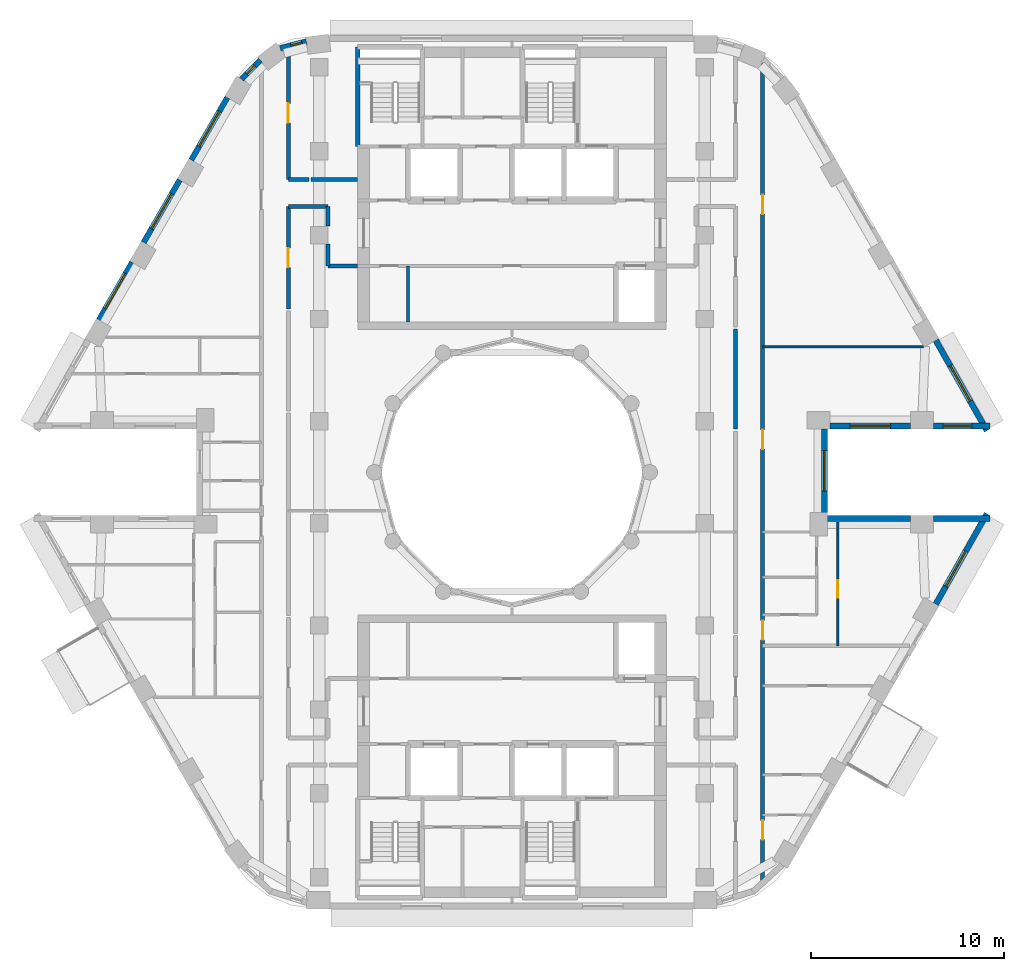
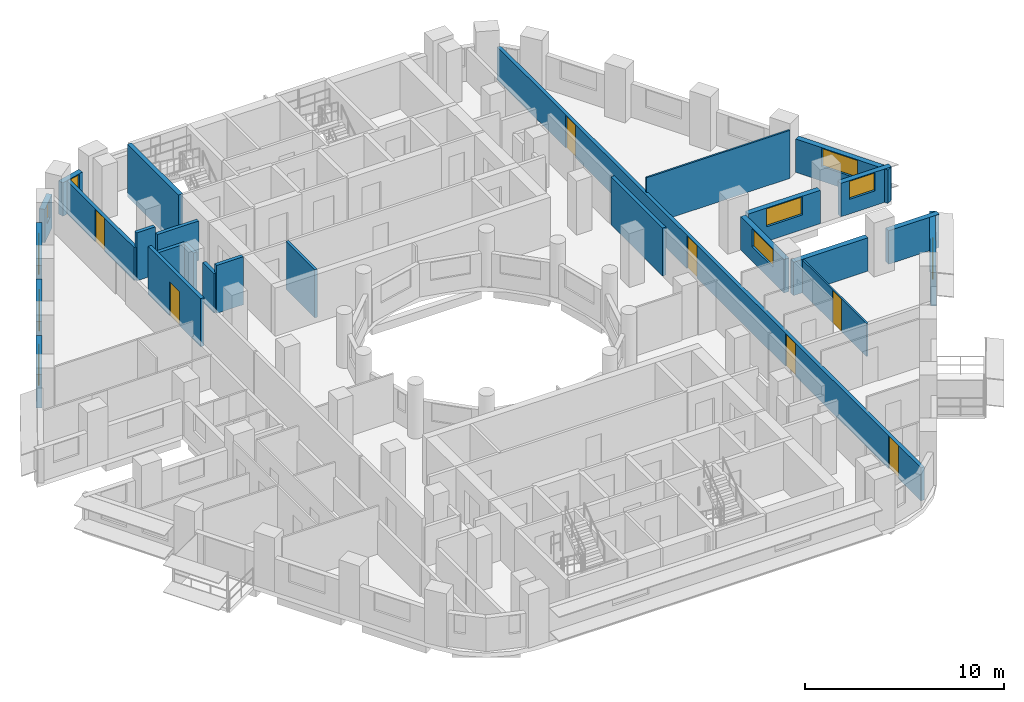
# One storey, part 7 of 15: 26 walls, 10 windows, 7 doors, 17 openings.
"""IFC4 building model written with IfcOpenShell, lengths in metres."""

from ifc_helpers import new_model, si_unit, direction, frame, frame_2d, origin, place, context, subcontext, project, spatial, rectangle, extrude, material, layer, layer_set, type_object, element, fill, save


model = new_model("IFC4")

# Units and contexts
model_context = context("Model", 3, precision=1e-05, world=origin(), true_north=direction((0.0, 1.0)))
body_context = subcontext(model_context, "Body", "Model", "MODEL_VIEW")
ifc_project = project(units=[si_unit("LENGTHUNIT", "METRE"), si_unit("AREAUNIT", "SQUARE_METRE"), si_unit("VOLUMEUNIT", "CUBIC_METRE"), si_unit("PLANEANGLEUNIT", "RADIAN"), si_unit("MASSUNIT", "GRAM", prefix="KILO")], contexts=[model_context])

# Site, building, storey
site_placement = place(None, origin())
site = spatial("IfcSite", under=ifc_project, at=site_placement, CompositionType="ELEMENT")
building_placement = place(site_placement, origin())
building = spatial("IfcBuilding", under=site, at=building_placement, Name="Nakaniwa Court", CompositionType="ELEMENT")
storey_placement = place(building_placement, frame((0.0, 0.0, 216.300048828125)))
storey = spatial("IfcBuildingStorey", under=building, at=storey_placement, Name="L57", CompositionType="ELEMENT", Elevation=216.300048828125)

# Wall
ifc_material_1 = material(Name="Acoustic double stud partition")
ifc_layer_1 = layer(ifc_material_1, 0.199951171875)
ifc_layer_set_1 = layer_set([ifc_layer_1], Name="Acoustic double stud partition")
wall_type_1 = type_object("IfcWallType", Name="Acoustic double stud partition 200", PredefinedType="PARTITIONING", material=ifc_layer_set_1)
wall_1_placement = place(storey_placement, frame((91.60009765625, 82.2373046875, 0.0), z_axis=(0.0, 0.0, 1.0), x_axis=(0.0, 1.0, 0.0)))
element("IfcWall", 1, at=wall_1_placement, inside=storey, type_object=wall_type_1, Name="Partition PW-068", PredefinedType="PARTITIONING", context=body_context, shape_type="SweptSolid", body=[
    extrude(rectangle(XDim=5.185546875, YDim=0.199951171875, at=frame_2d((2.5927734375, 0.0))), origin(), (0.0, 0.0, 1.0), 2.949951171875),
])

# Wall, openings, doors
wall_2_placement = place(storey_placement, frame((93.0, 101.28076171875, 0.0), z_axis=(0.0, 0.0, 1.0), x_axis=(0.0, -1.0, 0.0)))
wall_2 = element("IfcWall", 2, at=wall_2_placement, inside=storey, type_object=wall_type_1, Name="Partition PW-075", PredefinedType="PARTITIONING", context=body_context, shape_type="SweptSolid", body=[
    extrude(rectangle(XDim=42.6064453125, YDim=0.199951171875, at=frame_2d((21.30322265625, 0.0))), origin(), (0.0, 0.0, 1.0), 2.030029296875),
])
opening_1_placement = place(wall_2_placement, frame((39.330078125, 0.0, 0.0)))
opening_1 = element("IfcOpeningElement", 3, at=opening_1_placement, cuts=wall_2, Name="Opening D-34-01", PredefinedType="OPENING", context=body_context, shape_type="SweptSolid", body=[
    extrude(rectangle(XDim=1.0, YDim=2.010009765625, at=frame_2d((0.5, 1.0048828125))), frame((0.0, 0.10986328125, 0.0), z_axis=(0.0, -1.0, 0.0), x_axis=(1.0, 0.0, 0.0)), (0.0, 0.0, 1.0), 0.219970703125),
])
opening_2_placement = place(wall_2_placement, frame((28.97998046875, 0.0, 0.0)))
opening_2 = element("IfcOpeningElement", 4, at=opening_2_placement, cuts=wall_2, Name="Opening D-34-02", PredefinedType="OPENING", context=body_context, shape_type="SweptSolid", body=[
    extrude(rectangle(XDim=1.0, YDim=2.010009765625, at=frame_2d((0.5, 1.0048828125))), frame((0.0, 0.10986328125, 0.0), z_axis=(0.0, -1.0, 0.0), x_axis=(1.0, 0.0, 0.0)), (0.0, 0.0, 1.0), 0.219970703125),
])
opening_3_placement = place(wall_2_placement, frame((6.89306640625, 0.0, 0.0)))
opening_3 = element("IfcOpeningElement", 5, at=opening_3_placement, cuts=wall_2, Name="Opening D-36-02", PredefinedType="OPENING", context=body_context, shape_type="SweptSolid", body=[
    extrude(rectangle(XDim=1.0, YDim=2.010009765625, at=frame_2d((0.5, 1.0048828125))), frame((0.0, 0.10986328125, 0.0), z_axis=(0.0, -1.0, 0.0), x_axis=(1.0, 0.0, 0.0)), (0.0, 0.0, 1.0), 0.219970703125),
])
opening_4_placement = place(wall_2_placement, frame((19.080078125, 0.0, 0.0)))
opening_4 = element("IfcOpeningElement", 6, at=opening_4_placement, cuts=wall_2, Name="Opening D-36-04", PredefinedType="OPENING", context=body_context, shape_type="SweptSolid", body=[
    extrude(rectangle(XDim=1.0, YDim=2.010009765625, at=frame_2d((0.5, 1.0048828125))), frame((0.0, 0.10986328125, 0.0), z_axis=(0.0, -1.0, 0.0), x_axis=(1.0, 0.0, 0.0)), (0.0, 0.0, 1.0), 0.219970703125),
])
ifc_material_2 = material(Name="Solid core timber door set, black veneer", Category="wood")
door_type_1 = type_object("IfcDoorType", Name="Flat entrance door 1000 x 2010", OperationType="NOTDEFINED", PredefinedType="DOOR", material=ifc_material_2)
door_1_placement = place(opening_1_placement, origin())
door_1 = element("IfcDoor", 7, at=door_1_placement, inside=storey, type_object=door_type_1, Name="Door D-34-01 L57-022", OperationType="SINGLE_SWING_LEFT", OverallHeight=2.010009765625, OverallWidth=1.0, PredefinedType="DOOR", context=body_context, shape_type="SweptSolid", body=[
    extrude(rectangle(XDim=1.0, YDim=2.010009765625, at=frame_2d((0.5, 1.0048828125))), frame((0.0, 0.02490234375, 0.0), z_axis=(0.0, -1.0, 0.0), x_axis=(1.0, 0.0, 0.0)), (0.0, 0.0, 1.0), 0.050048828125),
])
fill(opening_1, door_1)
door_2_placement = place(opening_2_placement, origin())
door_2 = element("IfcDoor", 8, at=door_2_placement, inside=storey, type_object=door_type_1, Name="Door D-34-02 L57-027", OperationType="SINGLE_SWING_RIGHT", OverallHeight=2.010009765625, OverallWidth=1.0, PredefinedType="DOOR", context=body_context, shape_type="SweptSolid", body=[
    extrude(rectangle(XDim=1.0, YDim=2.010009765625, at=frame_2d((0.5, 1.0048828125))), frame((0.0, 0.02490234375, 0.0), z_axis=(0.0, -1.0, 0.0), x_axis=(1.0, 0.0, 0.0)), (0.0, 0.0, 1.0), 0.050048828125),
])
fill(opening_2, door_2)
door_type_2 = type_object("IfcDoorType", Name="Internal door 1000 x 2010", OperationType="NOTDEFINED", PredefinedType="DOOR", material=ifc_material_2)
door_3_placement = place(opening_3_placement, origin())
door_3 = element("IfcDoor", 9, at=door_3_placement, inside=storey, type_object=door_type_2, Name="Door D-36-02 L57-032", OperationType="SINGLE_SWING_LEFT", OverallHeight=2.010009765625, OverallWidth=1.0, PredefinedType="DOOR", context=body_context, shape_type="SweptSolid", body=[
    extrude(rectangle(XDim=1.0, YDim=2.010009765625, at=frame_2d((0.5, 1.0048828125))), frame((0.0, 0.02490234375, 0.0), z_axis=(0.0, -1.0, 0.0), x_axis=(1.0, 0.0, 0.0)), (0.0, 0.0, 1.0), 0.050048828125),
])
fill(opening_3, door_3)
door_4_placement = place(opening_4_placement, origin())
door_4 = element("IfcDoor", 10, at=door_4_placement, inside=storey, type_object=door_type_2, Name="Door D-36-04 L57-047", OperationType="SINGLE_SWING_RIGHT", OverallHeight=2.010009765625, OverallWidth=1.0, PredefinedType="DOOR", context=body_context, shape_type="SweptSolid", body=[
    extrude(rectangle(XDim=1.0, YDim=2.010009765625, at=frame_2d((0.5, 1.0048828125))), frame((0.0, 0.02490234375, 0.0), z_axis=(0.0, -1.0, 0.0), x_axis=(1.0, 0.0, 0.0)), (0.0, 0.0, 1.0), 0.050048828125),
])
fill(opening_4, door_4)

# Walls
wall_3_placement = place(storey_placement, frame((68.39990234375, 93.77490234375, 0.0), z_axis=(0.0, 0.0, 1.0), x_axis=(1.0, 0.0, 0.0)))
element("IfcWall", 11, at=wall_3_placement, inside=storey, type_object=wall_type_1, Name="Partition PW-084", PredefinedType="PARTITIONING", context=body_context, shape_type="SweptSolid", body=[
    extrude(rectangle(XDim=2.050048828125, YDim=0.199951171875, at=frame_2d((1.02490234375, 0.0))), origin(), (0.0, 0.0, 1.0), 2.429931640625),
])
wall_4_placement = place(storey_placement, frame((70.449951171875, 90.699951171875, 0.0), z_axis=(0.0, 0.0, 1.0), x_axis=(1.0, 0.0, 0.0)))
element("IfcWall", 12, at=wall_4_placement, inside=storey, type_object=wall_type_1, Name="Partition PW-086", PredefinedType="PARTITIONING", context=body_context, shape_type="SweptSolid", body=[
    extrude(rectangle(XDim=1.550048828125, YDim=0.199951171875, at=frame_2d((0.77490234375, 0.0))), origin(), (0.0, 0.0, 1.0), 2.949951171875),
])
wall_5_placement = place(storey_placement, frame((68.39990234375, 95.175048828125, 0.0), z_axis=(0.0, 0.0, 1.0), x_axis=(1.0, 0.0, 0.0)))
element("IfcWall", 13, at=wall_5_placement, inside=storey, type_object=wall_type_1, Name="Partition PW-088", PredefinedType="PARTITIONING", context=body_context, shape_type="SweptSolid", body=[
    extrude(rectangle(XDim=1.072998046875, YDim=0.199951171875, at=frame_2d((0.53662109375, 0.0))), origin(), (0.0, 0.0, 1.0), 2.949951171875),
])
wall_6_placement = place(storey_placement, frame((69.587158203125, 95.175048828125, 0.0), z_axis=(0.0, 0.0, 1.0), x_axis=(1.0, 0.0, 0.0)))
element("IfcWall", 14, at=wall_6_placement, inside=storey, type_object=wall_type_1, Name="Partition PW-089", PredefinedType="PARTITIONING", context=body_context, shape_type="SweptSolid", body=[
    extrude(rectangle(XDim=2.412841796875, YDim=0.199951171875, at=frame_2d((1.20654296875, 0.0))), origin(), (0.0, 0.0, 1.0), 2.429931640625),
])

# Wall, opening, door
wall_7_placement = place(storey_placement, frame((68.39990234375, 93.77490234375, 0.0), z_axis=(0.0, 0.0, 1.0), x_axis=(0.0, -1.0, 0.0)))
wall_7 = element("IfcWall", 15, at=wall_7_placement, inside=storey, type_object=wall_type_1, Name="Partition PW-096", PredefinedType="PARTITIONING", context=body_context, shape_type="SweptSolid", body=[
    extrude(rectangle(XDim=5.297607421875, YDim=0.199951171875, at=frame_2d((2.64892578125, 0.0))), origin(), (0.0, 0.0, 1.0), 2.949951171875),
])
opening_5_placement = place(wall_7_placement, frame((2.14794921875, 0.0, 0.0)))
opening_5 = element("IfcOpeningElement", 16, at=opening_5_placement, cuts=wall_7, Name="Opening D-02-04", PredefinedType="OPENING", context=body_context, shape_type="SweptSolid", body=[
    extrude(rectangle(XDim=1.0, YDim=2.10009765625, at=frame_2d((0.5, 1.050048828125))), frame((0.0, 0.10986328125, 0.0), z_axis=(0.0, -1.0, 0.0), x_axis=(1.0, 0.0, 0.0)), (0.0, 0.0, 1.0), 0.219970703125),
])
door_type_3 = type_object("IfcDoorType", Name="Internal door 1000", OperationType="NOTDEFINED", PredefinedType="DOOR", material=ifc_material_2)
door_5_placement = place(opening_5_placement, origin())
door_5 = element("IfcDoor", 17, at=door_5_placement, inside=storey, type_object=door_type_3, Name="Door D-02-04 L57-046", OperationType="SINGLE_SWING_LEFT", OverallHeight=2.10009765625, OverallWidth=1.0, PredefinedType="DOOR", context=body_context, shape_type="SweptSolid", body=[
    extrude(rectangle(XDim=1.0, YDim=2.10009765625, at=frame_2d((0.5, 1.050048828125))), frame((0.0, 0.02490234375, 0.0), z_axis=(0.0, -1.0, 0.0), x_axis=(1.0, 0.0, 0.0)), (0.0, 0.0, 1.0), 0.050048828125),
])
fill(opening_5, door_5)

wall_8_placement = place(storey_placement, frame((68.39990234375, 102.07373046875, 0.0), z_axis=(0.0, 0.0, 1.0), x_axis=(0.0, -1.0, 0.0)))
wall_8 = element("IfcWall", 18, at=wall_8_placement, inside=storey, type_object=wall_type_1, Name="Partition PW-097", PredefinedType="PARTITIONING", context=body_context, shape_type="SweptSolid", body=[
    extrude(rectangle(XDim=6.898681640625, YDim=0.199951171875, at=frame_2d((3.44921875, 0.0))), origin(), (0.0, 0.0, 1.0), 2.030029296875),
])
opening_6_placement = place(wall_8_placement, frame((2.948974609375, 0.0, 0.0)))
opening_6 = element("IfcOpeningElement", 19, at=opening_6_placement, cuts=wall_8, Name="Opening D-36-08", PredefinedType="OPENING", context=body_context, shape_type="SweptSolid", body=[
    extrude(rectangle(XDim=1.0, YDim=2.010009765625, at=frame_2d((0.5, 1.0048828125))), frame((0.0, 0.10986328125, 0.0), z_axis=(0.0, -1.0, 0.0), x_axis=(1.0, 0.0, 0.0)), (0.0, 0.0, 1.0), 0.219970703125),
])
door_6_placement = place(opening_6_placement, origin())
door_6 = element("IfcDoor", 20, at=door_6_placement, inside=storey, type_object=door_type_2, Name="Door D-36-08 L57-051", OperationType="SINGLE_SWING_RIGHT", OverallHeight=2.010009765625, OverallWidth=1.0, PredefinedType="DOOR", context=body_context, shape_type="SweptSolid", body=[
    extrude(rectangle(XDim=1.0, YDim=2.010009765625, at=frame_2d((0.5, 1.0048828125))), frame((0.0, 0.02490234375, 0.0), z_axis=(0.0, -1.0, 0.0), x_axis=(1.0, 0.0, 0.0)), (0.0, 0.0, 1.0), 0.050048828125),
])
fill(opening_6, door_6)

# Walls
wall_9_placement = place(storey_placement, frame((70.449951171875, 90.699951171875, 0.0), z_axis=(0.0, 0.0, 1.0), x_axis=(0.0, 1.0, 0.0)))
element("IfcWall", 21, at=wall_9_placement, inside=storey, type_object=wall_type_1, Name="Partition PW-100", PredefinedType="PARTITIONING", context=body_context, shape_type="SweptSolid", body=[
    extrude(rectangle(XDim=1.1328125, YDim=0.199951171875, at=frame_2d((0.56640625, 0.0))), origin(), (0.0, 0.0, 1.0), 2.429931640625),
])
wall_10_placement = place(storey_placement, frame((70.449951171875, 92.76708984375, 0.0), z_axis=(0.0, 0.0, 1.0), x_axis=(0.0, 1.0, 0.0)))
element("IfcWall", 22, at=wall_10_placement, inside=storey, type_object=wall_type_1, Name="Partition PW-101", PredefinedType="PARTITIONING", context=body_context, shape_type="SweptSolid", body=[
    extrude(rectangle(XDim=1.0078125, YDim=0.199951171875, at=frame_2d((0.50390625, 0.0))), origin(), (0.0, 0.0, 1.0), 2.429931640625),
])

# Wall, opening, window
ifc_material_3 = material(Name="Charcoal ceramic cladding")
ifc_layer_2 = layer(ifc_material_3, 0.02, Name="Ceramic cladding")
ifc_material_4 = material(Name="Ventilated air cavity")
ifc_layer_3 = layer(ifc_material_4, 0.04, ventilated=True, Name="Ventilated cavity")
ifc_material_5 = material(Name="Mineral wool insulation")
ifc_layer_4 = layer(ifc_material_5, 0.1, Name="Insulation")
ifc_material_6 = material(Name="Cement bonded sheathing board")
ifc_layer_5 = layer(ifc_material_6, 0.012, Name="Sheathing")
ifc_material_7 = material(Name="Cold-formed galvanised stud frame with mineral wool infill")
ifc_layer_6 = layer(ifc_material_7, 0.1, Name="Stud frame")
ifc_material_8 = material(Name="Fire-rated gypsum plasterboard lining")
ifc_layer_7 = layer(ifc_material_8, 0.028, Name="Lining")
ifc_layer_set_2 = layer_set([ifc_layer_2, ifc_layer_3, ifc_layer_4, ifc_layer_5, ifc_layer_6, ifc_layer_7], Name="Charcoal ceramic faced external wall system")
wall_type_2 = type_object("IfcWallType", Name="Black ceramic faced external wall 300", PredefinedType="SOLIDWALL", material=ifc_layer_set_2)
wall_11_placement = place(storey_placement, frame((96.49560546875, 82.39990234375, 0.0), z_axis=(0.0, 0.0, 1.0), x_axis=(1.0, 0.0, 0.0)))
wall_11 = element("IfcWall", 23, at=wall_11_placement, inside=storey, type_object=wall_type_2, Name="L57 external wall 00", PredefinedType="SOLIDWALL", context=body_context, shape_type="SweptSolid", body=[
    extrude(rectangle(XDim=4.17236328125, YDim=0.300048828125, at=frame_2d((2.086181640625, 0.0))), origin(), (0.0, 0.0, 1.0), 2.050048828125),
])
opening_7_placement = place(wall_11_placement, frame((1.036376953125, 0.0, 0.89990234375)))
opening_7 = element("IfcOpeningElement", 24, at=opening_7_placement, cuts=wall_11, Name="Opening W7.01", PredefinedType="OPENING", context=body_context, shape_type="SweptSolid", body=[
    extrude(rectangle(XDim=2.10009765625, YDim=1.10009765625, at=frame_2d((1.050048828125, 0.550048828125))), frame((0.0, 0.159912109375, 0.0), z_axis=(0.0, -1.0, 0.0), x_axis=(1.0, 0.0, 0.0)), (0.0, 0.0, 1.0), 0.320068359375),
])
ifc_material_9 = material(Name="Black anodised aluminium frame with dark low-E laminated double glazing", Category="aluminium")
window_type_1 = type_object("IfcWindowType", Name="Dark glass window 2100x1100 sill 900", PartitioningType="SINGLE_PANEL", PredefinedType="WINDOW", material=ifc_material_9)
window_1_placement = place(opening_7_placement, origin())
window_1 = element("IfcWindow", 25, at=window_1_placement, inside=storey, type_object=window_type_1, Name="L57 habitable room window 00-0", OverallHeight=1.10009765625, OverallWidth=2.10009765625, PartitioningType="SINGLE_PANEL", PredefinedType="WINDOW", context=body_context, shape_type="SweptSolid", body=[
    extrude(rectangle(XDim=2.10009765625, YDim=1.10009765625, at=frame_2d((1.050048828125, 0.550048828125))), frame((0.0, 0.030029296875, 0.0), z_axis=(0.0, -1.0, 0.0), x_axis=(1.0, 0.0, 0.0)), (0.0, 0.0, 1.0), 0.06005859375),
])
fill(opening_7, window_1)

wall_12_placement = place(storey_placement, frame((101.860107421875, 82.39990234375, 0.0), z_axis=(0.0, 0.0, 1.0), x_axis=(1.0, 0.0, 0.0)))
wall_12 = element("IfcWall", 26, at=wall_12_placement, inside=storey, type_object=wall_type_2, Name="L57 external wall 01", PredefinedType="SOLIDWALL", context=body_context, shape_type="SweptSolid", body=[
    extrude(rectangle(XDim=2.937744140625, YDim=0.300048828125, at=frame_2d((1.46875, 0.0))), origin(), (0.0, 0.0, 1.0), 2.050048828125),
])
opening_8_placement = place(wall_12_placement, frame((0.493896484375, 0.0, 0.89990234375)))
opening_8 = element("IfcOpeningElement", 27, at=opening_8_placement, cuts=wall_12, Name="Opening W5.02", PredefinedType="OPENING", context=body_context, shape_type="SweptSolid", body=[
    extrude(rectangle(XDim=1.5, YDim=1.10009765625, at=frame_2d((0.75, 0.550048828125))), frame((0.0, 0.159912109375, 0.0), z_axis=(0.0, -1.0, 0.0), x_axis=(1.0, 0.0, 0.0)), (0.0, 0.0, 1.0), 0.320068359375),
])
window_type_2 = type_object("IfcWindowType", Name="Dark glass window 1500x1100 sill 900", PartitioningType="SINGLE_PANEL", PredefinedType="WINDOW", material=ifc_material_9)
window_2_placement = place(opening_8_placement, origin())
window_2 = element("IfcWindow", 28, at=window_2_placement, inside=storey, type_object=window_type_2, Name="L57 habitable room window 01-0", OverallHeight=1.10009765625, OverallWidth=1.5, PartitioningType="SINGLE_PANEL", PredefinedType="WINDOW", context=body_context, shape_type="SweptSolid", body=[
    extrude(rectangle(XDim=1.5, YDim=1.10009765625, at=frame_2d((0.75, 0.550048828125))), frame((0.0, 0.030029296875, 0.0), z_axis=(0.0, -1.0, 0.0), x_axis=(1.0, 0.0, 0.0)), (0.0, 0.0, 1.0), 0.06005859375),
])
fill(opening_8, window_2)

wall_13_placement = place(storey_placement, frame((104.627197265625, 82.153564453125, 0.0), z_axis=(0.0, 0.0, 1.0), x_axis=(-0.492033360928, 0.870576344575, 0.0)))
wall_13 = element("IfcWall", 29, at=wall_13_placement, inside=storey, type_object=wall_type_2, Name="L57 external wall 02", PredefinedType="SOLIDWALL", context=body_context, shape_type="SweptSolid", body=[
    extrude(rectangle(XDim=5.38671875, YDim=0.300048828125, at=frame_2d((2.693359375, 0.0))), origin(), (0.0, 0.0, 1.0), 2.050048828125),
])
opening_9_placement = place(wall_13_placement, frame((1.77001953125, 0.0, 0.89990234375)))
opening_9 = element("IfcOpeningElement", 30, at=opening_9_placement, cuts=wall_13, Name="Opening W7.03", PredefinedType="OPENING", context=body_context, shape_type="SweptSolid", body=[
    extrude(rectangle(XDim=2.10009765625, YDim=1.10009765625, at=frame_2d((1.050048828125, 0.550048828125))), frame((0.0, 0.159912109375, 0.0), z_axis=(0.0, -1.0, 0.0), x_axis=(1.0, 0.0, 0.0)), (0.0, 0.0, 1.0), 0.320068359375),
])
window_3_placement = place(opening_9_placement, origin())
window_3 = element("IfcWindow", 31, at=window_3_placement, inside=storey, type_object=window_type_1, Name="L57 habitable room window 02-0", OverallHeight=1.10009765625, OverallWidth=2.10009765625, PartitioningType="SINGLE_PANEL", PredefinedType="WINDOW", context=body_context, shape_type="SweptSolid", body=[
    extrude(rectangle(XDim=2.10009765625, YDim=1.10009765625, at=frame_2d((1.050048828125, 0.550048828125))), frame((0.0, 0.030029296875, 0.0), z_axis=(0.0, -1.0, 0.0), x_axis=(1.0, 0.0, 0.0)), (0.0, 0.0, 1.0), 0.06005859375),
])
fill(opening_9, window_3)

wall_14_placement = place(storey_placement, frame((69.3359375, 102.333251953125, 0.0), z_axis=(0.0, 0.0, 1.0), x_axis=(-0.969037396898, -0.246914000036, 0.0)))
wall_14 = element("IfcWall", 32, at=wall_14_placement, inside=storey, type_object=wall_type_2, Name="L57 external wall 09", PredefinedType="SOLIDWALL", context=body_context, shape_type="SweptSolid", body=[
    extrude(rectangle(XDim=1.403076171875, YDim=0.300048828125, at=frame_2d((0.70166015625, 0.0))), origin(), (0.0, 0.0, 1.0), 2.050048828125),
])
opening_10_placement = place(wall_14_placement, frame((0.22900390625, 0.0, 0.89990234375)))
opening_10 = element("IfcOpeningElement", 33, at=opening_10_placement, cuts=wall_14, Name="Opening W8.11", PredefinedType="OPENING", context=body_context, shape_type="SweptSolid", body=[
    extrude(rectangle(XDim=0.60009765625, YDim=1.10009765625, at=frame_2d((0.300048828125, 0.550048828125))), frame((0.0, 0.159912109375, 0.0), z_axis=(0.0, -1.0, 0.0), x_axis=(1.0, 0.0, 0.0)), (0.0, 0.0, 1.0), 0.320068359375),
])
window_type_3 = type_object("IfcWindowType", Name="Dark glass window 600x1100 sill 900", PartitioningType="SINGLE_PANEL", PredefinedType="WINDOW", material=ifc_material_9)
window_4_placement = place(opening_10_placement, origin())
window_4 = element("IfcWindow", 34, at=window_4_placement, inside=storey, type_object=window_type_3, Name="L57 habitable room window 09-0", OverallHeight=1.10009765625, OverallWidth=0.60009765625, PartitioningType="SINGLE_PANEL", PredefinedType="WINDOW", context=body_context, shape_type="SweptSolid", body=[
    extrude(rectangle(XDim=0.60009765625, YDim=1.10009765625, at=frame_2d((0.300048828125, 0.550048828125))), frame((0.0, 0.030029296875, 0.0), z_axis=(0.0, -1.0, 0.0), x_axis=(1.0, 0.0, 0.0)), (0.0, 0.0, 1.0), 0.06005859375),
])
fill(opening_10, window_4)

wall_15_placement = place(storey_placement, frame((66.951904296875, 101.36328125, 0.0), z_axis=(0.0, 0.0, 1.0), x_axis=(-0.70869320446, -0.705516790695, 0.0)))
wall_15 = element("IfcWall", 35, at=wall_15_placement, inside=storey, type_object=wall_type_2, Name="L57 external wall 10", PredefinedType="SOLIDWALL", context=body_context, shape_type="SweptSolid", body=[
    extrude(rectangle(XDim=1.383544921875, YDim=0.300048828125, at=frame_2d((0.69189453125, 0.0))), origin(), (0.0, 0.0, 1.0), 2.050048828125),
])
opening_11_placement = place(wall_15_placement, frame((0.407958984375, 0.0, 0.89990234375)))
opening_11 = element("IfcOpeningElement", 36, at=opening_11_placement, cuts=wall_15, Name="Opening W8.12", PredefinedType="OPENING", context=body_context, shape_type="SweptSolid", body=[
    extrude(rectangle(XDim=0.60009765625, YDim=1.10009765625, at=frame_2d((0.300048828125, 0.550048828125))), frame((0.0, 0.159912109375, 0.0), z_axis=(0.0, -1.0, 0.0), x_axis=(1.0, 0.0, 0.0)), (0.0, 0.0, 1.0), 0.320068359375),
])
window_5_placement = place(opening_11_placement, origin())
window_5 = element("IfcWindow", 37, at=window_5_placement, inside=storey, type_object=window_type_3, Name="L57 habitable room window 10-1", OverallHeight=1.10009765625, OverallWidth=0.60009765625, PartitioningType="SINGLE_PANEL", PredefinedType="WINDOW", context=body_context, shape_type="SweptSolid", body=[
    extrude(rectangle(XDim=0.60009765625, YDim=1.10009765625, at=frame_2d((0.300048828125, 0.550048828125))), frame((0.0, 0.030029296875, 0.0), z_axis=(0.0, -1.0, 0.0), x_axis=(1.0, 0.0, 0.0)), (0.0, 0.0, 1.0), 0.06005859375),
])
fill(opening_11, window_5)

wall_16_placement = place(storey_placement, frame((65.239013671875, 99.433349609375, 0.0), z_axis=(0.0, 0.0, 1.0), x_axis=(-0.499982088007, -0.866035745032, 0.0)))
wall_16 = element("IfcWall", 38, at=wall_16_placement, inside=storey, type_object=wall_type_2, Name="L57 external wall 11", PredefinedType="SOLIDWALL", context=body_context, shape_type="SweptSolid", body=[
    extrude(rectangle(XDim=3.744384765625, YDim=0.300048828125, at=frame_2d((1.8720703125, 0.0))), origin(), (0.0, 0.0, 1.0), 2.050048828125),
])
opening_12_placement = place(wall_16_placement, frame((0.822265625, 0.0, 0.89990234375)))
opening_12 = element("IfcOpeningElement", 39, at=opening_12_placement, cuts=wall_16, Name="Opening W7.13", PredefinedType="OPENING", context=body_context, shape_type="SweptSolid", body=[
    extrude(rectangle(XDim=2.10009765625, YDim=1.10009765625, at=frame_2d((1.050048828125, 0.550048828125))), frame((0.0, 0.159912109375, 0.0), z_axis=(0.0, -1.0, 0.0), x_axis=(1.0, 0.0, 0.0)), (0.0, 0.0, 1.0), 0.320068359375),
])
window_6_placement = place(opening_12_placement, origin())
window_6 = element("IfcWindow", 40, at=window_6_placement, inside=storey, type_object=window_type_1, Name="L57 habitable room window 11-0", OverallHeight=1.10009765625, OverallWidth=2.10009765625, PartitioningType="SINGLE_PANEL", PredefinedType="WINDOW", context=body_context, shape_type="SweptSolid", body=[
    extrude(rectangle(XDim=2.10009765625, YDim=1.10009765625, at=frame_2d((1.050048828125, 0.550048828125))), frame((0.0, 0.030029296875, 0.0), z_axis=(0.0, -1.0, 0.0), x_axis=(1.0, 0.0, 0.0)), (0.0, 0.0, 1.0), 0.06005859375),
])
fill(opening_12, window_6)

wall_17_placement = place(storey_placement, frame((62.77099609375, 95.158447265625, 0.0), z_axis=(0.0, 0.0, 1.0), x_axis=(-0.500059225181, -0.86599120741, 0.0)))
wall_17 = element("IfcWall", 41, at=wall_17_placement, inside=storey, type_object=wall_type_2, Name="L57 external wall 12", PredefinedType="SOLIDWALL", context=body_context, shape_type="SweptSolid", body=[
    extrude(rectangle(XDim=3.744140625, YDim=0.300048828125, at=frame_2d((1.8720703125, 0.0))), origin(), (0.0, 0.0, 1.0), 2.050048828125),
])
opening_13_placement = place(wall_17_placement, frame((0.822265625, 0.0, 0.89990234375)))
opening_13 = element("IfcOpeningElement", 42, at=opening_13_placement, cuts=wall_17, Name="Opening W7.14", PredefinedType="OPENING", context=body_context, shape_type="SweptSolid", body=[
    extrude(rectangle(XDim=2.10009765625, YDim=1.10009765625, at=frame_2d((1.050048828125, 0.550048828125))), frame((0.0, 0.159912109375, 0.0), z_axis=(0.0, -1.0, 0.0), x_axis=(1.0, 0.0, 0.0)), (0.0, 0.0, 1.0), 0.320068359375),
])
window_7_placement = place(opening_13_placement, origin())
window_7 = element("IfcWindow", 43, at=window_7_placement, inside=storey, type_object=window_type_1, Name="L57 habitable room window 12-0", OverallHeight=1.10009765625, OverallWidth=2.10009765625, PartitioningType="SINGLE_PANEL", PredefinedType="WINDOW", context=body_context, shape_type="SweptSolid", body=[
    extrude(rectangle(XDim=2.10009765625, YDim=1.10009765625, at=frame_2d((1.050048828125, 0.550048828125))), frame((0.0, 0.030029296875, 0.0), z_axis=(0.0, -1.0, 0.0), x_axis=(1.0, 0.0, 0.0)), (0.0, 0.0, 1.0), 0.06005859375),
])
fill(opening_13, window_7)

wall_18_placement = place(storey_placement, frame((60.302734375, 90.883544921875, 0.0), z_axis=(0.0, 0.0, 1.0), x_axis=(-0.499955427682, -0.866051136095, 0.0)))
wall_18 = element("IfcWall", 44, at=wall_18_placement, inside=storey, type_object=wall_type_2, Name="L57 external wall 13", PredefinedType="SOLIDWALL", context=body_context, shape_type="SweptSolid", body=[
    extrude(rectangle(XDim=3.447021484375, YDim=0.300048828125, at=frame_2d((1.7236328125, 0.0))), origin(), (0.0, 0.0, 1.0), 2.050048828125),
])
opening_14_placement = place(wall_18_placement, frame((0.673583984375, 0.0, 0.89990234375)))
opening_14 = element("IfcOpeningElement", 45, at=opening_14_placement, cuts=wall_18, Name="Opening W7.15", PredefinedType="OPENING", context=body_context, shape_type="SweptSolid", body=[
    extrude(rectangle(XDim=2.10009765625, YDim=1.10009765625, at=frame_2d((1.050048828125, 0.550048828125))), frame((0.0, 0.159912109375, 0.0), z_axis=(0.0, -1.0, 0.0), x_axis=(1.0, 0.0, 0.0)), (0.0, 0.0, 1.0), 0.320068359375),
])
window_8_placement = place(opening_14_placement, origin())
window_8 = element("IfcWindow", 46, at=window_8_placement, inside=storey, type_object=window_type_1, Name="L57 habitable room window 13-0", OverallHeight=1.10009765625, OverallWidth=2.10009765625, PartitioningType="SINGLE_PANEL", PredefinedType="WINDOW", context=body_context, shape_type="SweptSolid", body=[
    extrude(rectangle(XDim=2.10009765625, YDim=1.10009765625, at=frame_2d((1.050048828125, 0.550048828125))), frame((0.0, 0.030029296875, 0.0), z_axis=(0.0, -1.0, 0.0), x_axis=(1.0, 0.0, 0.0)), (0.0, 0.0, 1.0), 0.06005859375),
])
fill(opening_14, window_8)

wall_19_placement = place(storey_placement, frame((101.976806640625, 73.156982421875, 0.0), z_axis=(0.0, 0.0, 1.0), x_axis=(0.492033360928, 0.870576344575, 0.0)))
wall_19 = element("IfcWall", 47, at=wall_19_placement, inside=storey, type_object=wall_type_2, Name="L57 external wall 32", PredefinedType="SOLIDWALL", context=body_context, shape_type="SweptSolid", body=[
    extrude(rectangle(XDim=5.38671875, YDim=0.300048828125, at=frame_2d((2.693359375, 0.0))), origin(), (0.0, 0.0, 1.0), 2.050048828125),
])
opening_15_placement = place(wall_19_placement, frame((1.064453125, 0.0, 0.89990234375)))
opening_15 = element("IfcOpeningElement", 48, at=opening_15_placement, cuts=wall_19, Name="Opening W7.35", PredefinedType="OPENING", context=body_context, shape_type="SweptSolid", body=[
    extrude(rectangle(XDim=2.10009765625, YDim=1.10009765625, at=frame_2d((1.050048828125, 0.550048828125))), frame((0.0, 0.159912109375, 0.0), z_axis=(0.0, -1.0, 0.0), x_axis=(1.0, 0.0, 0.0)), (0.0, 0.0, 1.0), 0.320068359375),
])
window_9_placement = place(opening_15_placement, origin())
window_9 = element("IfcWindow", 49, at=window_9_placement, inside=storey, type_object=window_type_1, Name="L57 living window 32-0", OverallHeight=1.10009765625, OverallWidth=2.10009765625, PartitioningType="SINGLE_PANEL", PredefinedType="WINDOW", context=body_context, shape_type="SweptSolid", body=[
    extrude(rectangle(XDim=2.10009765625, YDim=1.10009765625, at=frame_2d((1.050048828125, 0.550048828125))), frame((0.0, 0.030029296875, 0.0), z_axis=(0.0, -1.0, 0.0), x_axis=(1.0, 0.0, 0.0)), (0.0, 0.0, 1.0), 0.06005859375),
])
fill(opening_15, window_9)

# Walls
wall_20_placement = place(storey_placement, frame((104.7978515625, 77.60009765625, 0.0), z_axis=(0.0, 0.0, 1.0), x_axis=(-1.0, 0.0, 0.0)))
element("IfcWall", 50, at=wall_20_placement, inside=storey, type_object=wall_type_2, Name="L57 external wall 33", PredefinedType="SOLIDWALL", context=body_context, shape_type="SweptSolid", body=[
    extrude(rectangle(XDim=2.937744140625, YDim=0.300048828125, at=frame_2d((1.46875, 0.0))), origin(), (0.0, 0.0, 1.0), 2.050048828125),
])
wall_21_placement = place(storey_placement, frame((100.66796875, 77.60009765625, 0.0), z_axis=(0.0, 0.0, 1.0), x_axis=(-1.0, 0.0, 0.0)))
element("IfcWall", 51, at=wall_21_placement, inside=storey, type_object=wall_type_2, Name="L57 external wall 34", PredefinedType="SOLIDWALL", context=body_context, shape_type="SweptSolid", body=[
    extrude(rectangle(XDim=4.322509765625, YDim=0.300048828125, at=frame_2d((2.1611328125, 0.0))), origin(), (0.0, 0.0, 1.0), 2.050048828125),
])

# Wall, opening, window
wall_22_placement = place(storey_placement, frame((96.199462890625, 77.89599609375, 0.0), z_axis=(0.0, 0.0, 1.0), x_axis=(0.0, 1.0, 0.0)))
wall_22 = element("IfcWall", 52, at=wall_22_placement, inside=storey, type_object=wall_type_2, Name="L57 external wall 35", PredefinedType="SOLIDWALL", context=body_context, shape_type="SweptSolid", body=[
    extrude(rectangle(XDim=4.35791015625, YDim=0.300048828125, at=frame_2d((2.178955078125, 0.0))), origin(), (0.0, 0.0, 1.0), 2.050048828125),
])
opening_16_placement = place(wall_22_placement, frame((1.12890625, 0.0, 0.89990234375)))
opening_16 = element("IfcOpeningElement", 53, at=opening_16_placement, cuts=wall_22, Name="Opening W7.36", PredefinedType="OPENING", context=body_context, shape_type="SweptSolid", body=[
    extrude(rectangle(XDim=2.10009765625, YDim=1.10009765625, at=frame_2d((1.050048828125, 0.550048828125))), frame((0.0, 0.159912109375, 0.0), z_axis=(0.0, -1.0, 0.0), x_axis=(1.0, 0.0, 0.0)), (0.0, 0.0, 1.0), 0.320068359375),
])
window_10_placement = place(opening_16_placement, origin())
window_10 = element("IfcWindow", 54, at=window_10_placement, inside=storey, type_object=window_type_1, Name="L57 habitable room window 35-0", OverallHeight=1.10009765625, OverallWidth=2.10009765625, PartitioningType="SINGLE_PANEL", PredefinedType="WINDOW", context=body_context, shape_type="SweptSolid", body=[
    extrude(rectangle(XDim=2.10009765625, YDim=1.10009765625, at=frame_2d((1.050048828125, 0.550048828125))), frame((0.0, 0.030029296875, 0.0), z_axis=(0.0, -1.0, 0.0), x_axis=(1.0, 0.0, 0.0)), (0.0, 0.0, 1.0), 0.06005859375),
])
fill(opening_16, window_10)

# Walls
ifc_material_10 = material(Name="Blockwork partition", Category="masonry")
ifc_layer_8 = layer(ifc_material_10, 0.14990234375)
ifc_layer_set_3 = layer_set([ifc_layer_8], Name="Blockwork partition")
wall_type_3 = type_object("IfcWallType", Name="Blockwork partition 150", PredefinedType="PARTITIONING", material=ifc_layer_set_3)
wall_23_placement = place(storey_placement, frame((74.60009765625, 87.800048828125, 0.0), z_axis=(0.0, 0.0, 1.0), x_axis=(0.0, 1.0, 0.0)))
element("IfcWall", 55, at=wall_23_placement, inside=storey, type_object=wall_type_3, Name="Partition PW-001", PredefinedType="PARTITIONING", context=body_context, shape_type="SweptSolid", body=[
    extrude(rectangle(XDim=2.89990234375, YDim=0.14990234375, at=frame_2d((1.449951171875, 0.0))), origin(), (0.0, 0.0, 1.0), 2.949951171875),
])
ifc_material_11 = material(Name="Concrete C80/100", Category="concrete")
ifc_layer_9 = layer(ifc_material_11, 0.25)
ifc_layer_set_4 = layer_set([ifc_layer_9], Name="Concrete C80/100")
wall_type_4 = type_object("IfcWallType", Name="Concrete core wall 250 C80", PredefinedType="SHEAR", material=ifc_layer_set_4)
wall_24_placement = place(storey_placement, frame((72.0, 96.89990234375, -0.275146484375), z_axis=(0.0, 0.0, 1.0), x_axis=(0.0, 1.0, 0.0)))
element("IfcWall", 56, at=wall_24_placement, inside=storey, type_object=wall_type_4, Name="Core wall SW-25", PredefinedType="SHEAR", context=body_context, shape_type="SweptSolid", body=[
    extrude(rectangle(XDim=5.150146484375, YDim=0.25, at=frame_2d((2.5751953125, 0.0))), origin(), (0.0, 0.0, 1.0), 3.22509765625),
])

# Wall, opening, door
ifc_material_12 = material(Name="Single stud plasterboard partition")
ifc_layer_10 = layer(ifc_material_12, 0.10009765625)
ifc_layer_set_5 = layer_set([ifc_layer_10], Name="Single stud plasterboard partition")
wall_type_5 = type_object("IfcWallType", Name="Single stud plasterboard partition 100", PredefinedType="PARTITIONING", material=ifc_layer_set_5)
wall_25_placement = place(storey_placement, frame((96.90087890625, 77.419921875, 0.0), z_axis=(0.0, 0.0, 1.0), x_axis=(0.0, -1.0, 0.0)))
wall_25 = element("IfcWall", 57, at=wall_25_placement, inside=storey, type_object=wall_type_5, Name="Partition PW-117", PredefinedType="PARTITIONING", context=body_context, shape_type="SweptSolid", body=[
    extrude(rectangle(XDim=6.419921875, YDim=0.10009765625, at=frame_2d((3.2099609375, 0.0))), origin(), (0.0, 0.0, 1.0), 2.030029296875),
])
opening_17_placement = place(wall_25_placement, frame((3.02001953125, 0.0, 0.0)))
opening_17 = element("IfcOpeningElement", 58, at=opening_17_placement, cuts=wall_25, Name="Opening D-37-01", PredefinedType="OPENING", context=body_context, shape_type="SweptSolid", body=[
    extrude(rectangle(XDim=0.89990234375, YDim=2.010009765625, at=frame_2d((0.449951171875, 1.0048828125))), frame((0.0, 0.06005859375, 0.0), z_axis=(0.0, -1.0, 0.0), x_axis=(1.0, 0.0, 0.0)), (0.0, 0.0, 1.0), 0.1201171875),
])
door_type_4 = type_object("IfcDoorType", Name="Internal door 900 x 2010", OperationType="NOTDEFINED", PredefinedType="DOOR", material=ifc_material_2)
door_7_placement = place(opening_17_placement, origin())
door_7 = element("IfcDoor", 59, at=door_7_placement, inside=storey, type_object=door_type_4, Name="Door D-37-01 L57-030", OperationType="SINGLE_SWING_LEFT", OverallHeight=2.010009765625, OverallWidth=0.89990234375, PredefinedType="DOOR", context=body_context, shape_type="SweptSolid", body=[
    extrude(rectangle(XDim=0.89990234375, YDim=2.010009765625, at=frame_2d((0.449951171875, 1.0048828125))), frame((0.0, 0.02490234375, 0.0), z_axis=(0.0, -1.0, 0.0), x_axis=(1.0, 0.0, 0.0)), (0.0, 0.0, 1.0), 0.050048828125),
])
fill(opening_17, door_7)

# Wall
wall_26_placement = place(storey_placement, frame((93.0009765625, 86.5, 0.0), z_axis=(0.0, 0.0, 1.0), x_axis=(1.0, 0.0, 0.0)))
element("IfcWall", 60, at=wall_26_placement, inside=storey, type_object=wall_type_5, Name="Partition PW-118", PredefinedType="PARTITIONING", context=body_context, shape_type="SweptSolid", body=[
    extrude(rectangle(XDim=8.337890625, YDim=0.10009765625, at=frame_2d((4.1689453125, 0.0))), origin(), (0.0, 0.0, 1.0), 2.949951171875),
])

save(model, "model.ifc")
